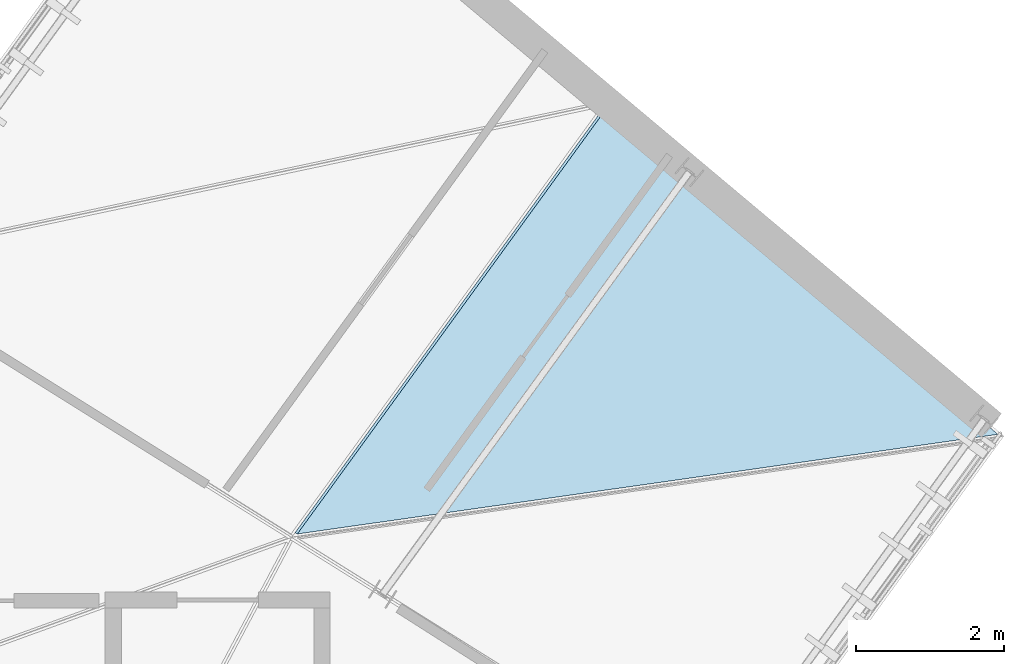
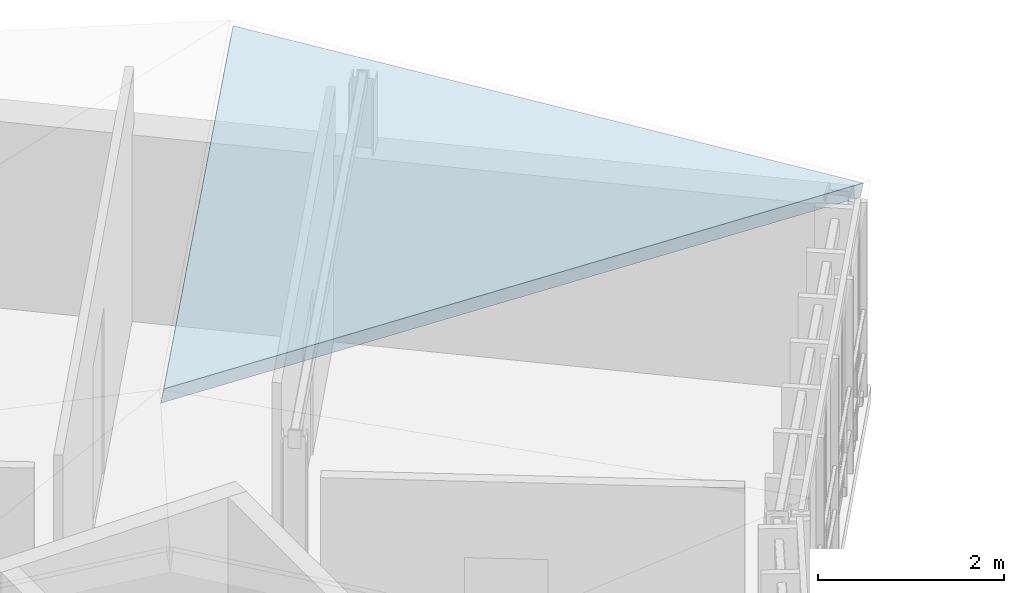
# One storey, part 9 of 18: 1 slab.
"""IFC4 building model written with IfcOpenShell, lengths in metres."""

from ifc_helpers import new_model, si_unit, direction, frame, origin, place, context, subcontext, project, spatial, polyline, outline, extrude, material, layer, layer_set, type_object, element, save


model = new_model("IFC4")

# Units and contexts
model_context = context("Model", 3, precision=1e-05, world=origin(), true_north=direction((0.0, 1.0)))
body_context = subcontext(model_context, "Body", "Model", "MODEL_VIEW")
ifc_project = project(units=[si_unit("LENGTHUNIT", "METRE"), si_unit("AREAUNIT", "SQUARE_METRE"), si_unit("VOLUMEUNIT", "CUBIC_METRE"), si_unit("PLANEANGLEUNIT", "RADIAN"), si_unit("MASSUNIT", "GRAM", prefix="KILO"), si_unit("THERMODYNAMICTEMPERATUREUNIT", "KELVIN"), si_unit("POWERUNIT", "WATT")], contexts=[model_context])

# Site, building, storey
site_placement = place(None, origin())
site = spatial("IfcSite", under=ifc_project, at=site_placement, CompositionType="ELEMENT")
building_placement = place(site_placement, origin())
building = spatial("IfcBuilding", under=site, at=building_placement, Name="Solvatero Civic Police Headquarters", CompositionType="ELEMENT")
storey_placement = place(building_placement, frame((0.0, 0.0, 29.39990234375)))
storey = spatial("IfcBuildingStorey", under=building, at=storey_placement, Name="L07", CompositionType="ELEMENT", Elevation=29.39990234375)

# Slab
ifc_material = material(Name="Concrete C35/45", Category="concrete")
ifc_layer = layer(ifc_material, 0.18994140625)
ifc_layer_set = layer_set([ifc_layer], Name="Concrete C35/45")
slab_type = type_object("IfcSlabType", Name="SLB-RF-ARC-190", PredefinedType="ROOF", material=ifc_layer_set)
slab_placement = place(storey_placement, frame((59.44580078125, 54.94873046875, 2.66552734375), z_axis=(0.159913222339, -0.082687315334, 0.983661816482), x_axis=(-0.979206664305, -0.139298725362, 0.147479400913)))
element("IfcSlab", 1, at=slab_placement, inside=storey, type_object=slab_type, Name="Operations Arc Rising Roof Slab B8 IN1", PredefinedType="ROOF", context=body_context, shape_type="SweptSolid", body=[
    extrude(outline(polyline([(0.0, 0.0), (9.66931911709531, -1.6653345369377348e-16), (4.7295604846889745, -5.152658734705943), (0.0, 0.0)])), origin(), (0.0, 0.0, -1.0), 0.18994140625),
])

save(model, "model.ifc")
